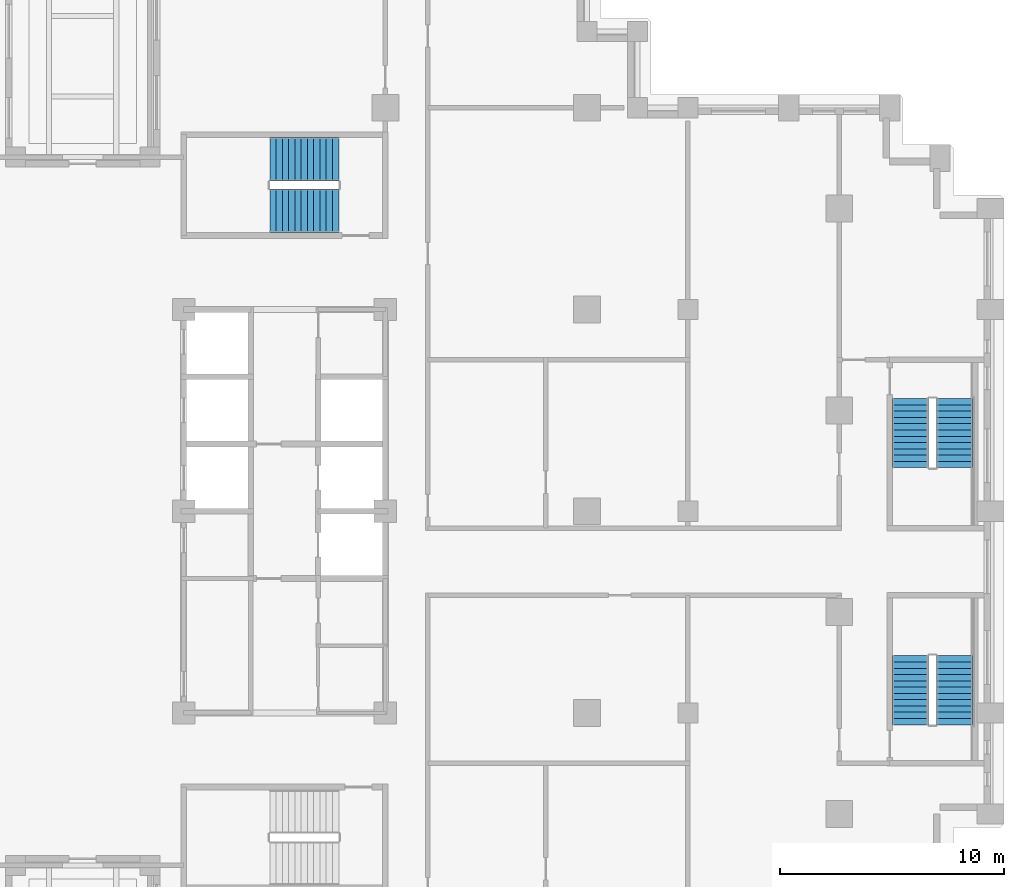
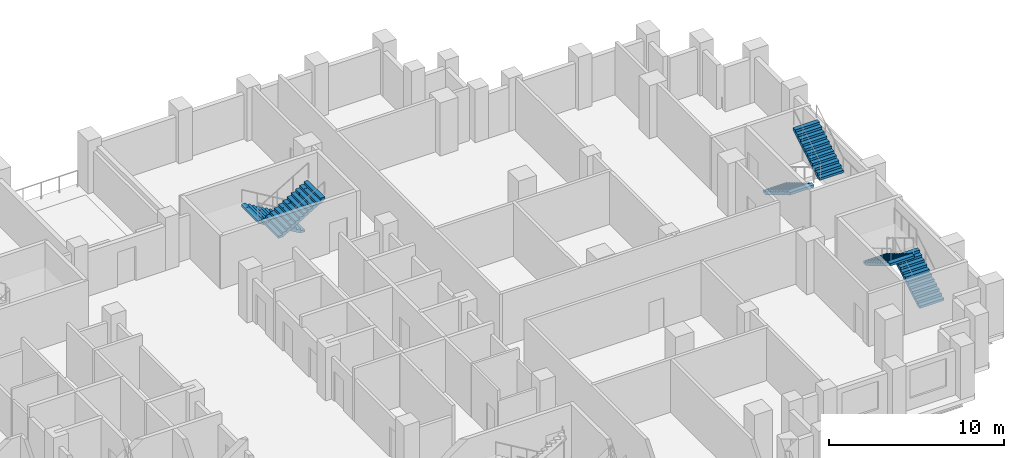
# One storey, part 11 of 13: 6 stair flights, 3 elements without a shape of their own.
"""IFC4 building model written with IfcOpenShell, lengths in metres."""

from ifc_helpers import new_model, si_unit, direction, frame, origin, place, context, subcontext, project, spatial, polyline, outline, extrude, material, type_object, element, aggregate, save


model = new_model("IFC4")

# Units and contexts
model_context = context("Model", 3, precision=1e-05, world=origin(), true_north=direction((0.0, 1.0)))
body_context = subcontext(model_context, "Body", "Model", "MODEL_VIEW")
ifc_project = project(units=[si_unit("LENGTHUNIT", "METRE"), si_unit("AREAUNIT", "SQUARE_METRE"), si_unit("VOLUMEUNIT", "CUBIC_METRE"), si_unit("PLANEANGLEUNIT", "RADIAN"), si_unit("MASSUNIT", "GRAM", prefix="KILO")], contexts=[model_context])

# Site, building, storey
site_placement = place(None, origin())
site = spatial("IfcSite", under=ifc_project, at=site_placement, CompositionType="ELEMENT")
building_placement = place(site_placement, origin())
building = spatial("IfcBuilding", under=site, at=building_placement, Name="Corbelhall Arena Tower", CompositionType="ELEMENT")
storey_placement = place(building_placement, frame((0.0, 0.0, 68.0)))
storey = spatial("IfcBuildingStorey", under=building, at=storey_placement, Name="L09", CompositionType="ELEMENT", Elevation=68.0)

# Stair, stair flights
ifc_material = material(Name="Concrete C40/50", Category="concrete")
stair_type = type_object("IfcStairType", Name="IN-ST-TOWER", PredefinedType="HALF_TURN_STAIR", material=ifc_material)
stair_1_placement = place(storey_placement, origin())
stair_1 = element("IfcStair", 1, at=stair_1_placement, inside=storey, type_object=stair_type, Name="L09 Exit stair ST3", PredefinedType="HALF_TURN_STAIR")
stair_flight_type = type_object("IfcStairFlightType", Name="IN-SFL-RC", PredefinedType="STRAIGHT", material=ifc_material)
stair_flight_1_placement = place(storey_placement, frame((11.425048828125, 15.699951171875, 0.0), z_axis=(0.0, 0.0, 1.0), x_axis=(-1.0, 0.0, 0.0)))
stair_flight_1 = element("IfcStairFlight", 2, at=stair_flight_1_placement, type_object=stair_flight_type, Name="ST3 flight 1", NumberOfRisers=12, NumberOfTreads=11, PredefinedType="STRAIGHT", RiserHeight=0.166666667, TreadLength=0.28, context=body_context, shape_type="SweptSolid", body=[
    extrude(outline(polyline([(0.0, 0.0), (0.0, 0.166748046875), (0.280029296875, 0.166748046875), (0.280029296875, 0.333251953125), (0.56005859375, 0.333251953125), (0.56005859375, 0.5), (0.840087890625, 0.5), (0.840087890625, 0.666748046875), (1.1201171875, 0.666748046875), (1.1201171875, 0.833251953125), (1.39990234375, 0.833251953125), (1.39990234375, 1.0), (1.679931640625, 1.0), (1.679931640625, 1.166748046875), (1.9599609375, 1.166748046875), (1.9599609375, 1.333251953125), (2.239990234375, 1.333251953125), (2.239990234375, 1.5), (2.52001953125, 1.5), (2.52001953125, 1.666748046875), (2.800048828125, 1.666748046875), (2.800048828125, 1.833251953125), (3.080078125, 1.833251953125), (3.080078125, 2.0), (3.080078125, 1.658935546875), (0.29296875, 0.0), (0.0, 0.0)])), frame((0.0, 0.97509765625, 0.0), z_axis=(0.0, -1.0, 0.0), x_axis=(1.0, 0.0, 0.0)), (0.0, 0.0, 1.0), 0.449951171875),
    extrude(outline(polyline([(0.0, 0.0), (0.0, 0.166748046875), (0.280029296875, 0.166748046875), (0.280029296875, 0.333251953125), (0.56005859375, 0.333251953125), (0.56005859375, 0.5), (0.840087890625, 0.5), (0.840087890625, 0.666748046875), (1.1201171875, 0.666748046875), (1.1201171875, 0.833251953125), (1.39990234375, 0.833251953125), (1.39990234375, 1.0), (1.679931640625, 1.0), (1.679931640625, 1.166748046875), (1.9599609375, 1.166748046875), (1.9599609375, 1.333251953125), (2.239990234375, 1.333251953125), (2.239990234375, 1.5), (2.52001953125, 1.5), (2.52001953125, 1.666748046875), (2.800048828125, 1.666748046875), (2.800048828125, 1.833251953125), (3.080078125, 1.833251953125), (3.080078125, 2.0), (3.080078125, 1.658935546875), (0.29296875, 0.0), (0.0, 0.0)])), frame((0.0, 0.52099609375, 0.0), z_axis=(0.0, -1.0, 0.0), x_axis=(1.0, 0.0, 0.0)), (0.0, 0.0, 1.0), 1.0419921875),
    extrude(outline(polyline([(0.0, 0.0), (0.0, 0.166748046875), (0.280029296875, 0.166748046875), (0.280029296875, 0.333251953125), (0.56005859375, 0.333251953125), (0.56005859375, 0.5), (0.840087890625, 0.5), (0.840087890625, 0.666748046875), (1.1201171875, 0.666748046875), (1.1201171875, 0.833251953125), (1.39990234375, 0.833251953125), (1.39990234375, 1.0), (1.679931640625, 1.0), (1.679931640625, 1.166748046875), (1.9599609375, 1.166748046875), (1.9599609375, 1.333251953125), (2.239990234375, 1.333251953125), (2.239990234375, 1.5), (2.52001953125, 1.5), (2.52001953125, 1.666748046875), (2.800048828125, 1.666748046875), (2.800048828125, 1.833251953125), (3.080078125, 1.833251953125), (3.080078125, 2.0), (3.080078125, 1.658935546875), (0.29296875, 0.0), (0.0, 0.0)])), frame((0.0, -0.52490234375, 0.0), z_axis=(0.0, -1.0, 0.0), x_axis=(1.0, 0.0, 0.0)), (0.0, 0.0, 1.0), 0.449951171875),
])
stair_flight_2_placement = place(storey_placement, frame((8.344970703125, 13.39990234375, 2.0), z_axis=(0.0, 0.0, 1.0), x_axis=(1.0, 0.0, 0.0)))
stair_flight_2 = element("IfcStairFlight", 3, at=stair_flight_2_placement, type_object=stair_flight_type, Name="ST3 flight 2", NumberOfRisers=12, NumberOfTreads=11, PredefinedType="STRAIGHT", RiserHeight=0.166666667, TreadLength=0.28, context=body_context, shape_type="SweptSolid", body=[
    extrude(outline(polyline([(0.0, 0.0), (0.0, 0.166748046875), (0.280029296875, 0.166748046875), (0.280029296875, 0.333251953125), (0.56005859375, 0.333251953125), (0.56005859375, 0.5), (0.840087890625, 0.5), (0.840087890625, 0.666748046875), (1.1201171875, 0.666748046875), (1.1201171875, 0.833251953125), (1.39990234375, 0.833251953125), (1.39990234375, 1.0), (1.679931640625, 1.0), (1.679931640625, 1.166748046875), (1.9599609375, 1.166748046875), (1.9599609375, 1.333251953125), (2.239990234375, 1.333251953125), (2.239990234375, 1.5), (2.52001953125, 1.5), (2.52001953125, 1.666748046875), (2.800048828125, 1.666748046875), (2.800048828125, 1.833251953125), (3.080078125, 1.833251953125), (3.080078125, 2.0), (3.080078125, 1.658935546875), (0.29296875, 0.0), (0.0, 0.0)])), frame((0.0, 0.97509765625, 0.0), z_axis=(0.0, -1.0, 0.0), x_axis=(1.0, 0.0, 0.0)), (0.0, 0.0, 1.0), 0.449951171875),
    extrude(outline(polyline([(0.0, 0.0), (0.0, 0.166748046875), (0.280029296875, 0.166748046875), (0.280029296875, 0.333251953125), (0.56005859375, 0.333251953125), (0.56005859375, 0.5), (0.840087890625, 0.5), (0.840087890625, 0.666748046875), (1.1201171875, 0.666748046875), (1.1201171875, 0.833251953125), (1.39990234375, 0.833251953125), (1.39990234375, 1.0), (1.679931640625, 1.0), (1.679931640625, 1.166748046875), (1.9599609375, 1.166748046875), (1.9599609375, 1.333251953125), (2.239990234375, 1.333251953125), (2.239990234375, 1.5), (2.52001953125, 1.5), (2.52001953125, 1.666748046875), (2.800048828125, 1.666748046875), (2.800048828125, 1.833251953125), (3.080078125, 1.833251953125), (3.080078125, 2.0), (3.080078125, 1.658935546875), (0.29296875, 0.0), (0.0, 0.0)])), frame((0.0, 0.52099609375, 0.0), z_axis=(0.0, -1.0, 0.0), x_axis=(1.0, 0.0, 0.0)), (0.0, 0.0, 1.0), 1.0419921875),
    extrude(outline(polyline([(0.0, 0.0), (0.0, 0.166748046875), (0.280029296875, 0.166748046875), (0.280029296875, 0.333251953125), (0.56005859375, 0.333251953125), (0.56005859375, 0.5), (0.840087890625, 0.5), (0.840087890625, 0.666748046875), (1.1201171875, 0.666748046875), (1.1201171875, 0.833251953125), (1.39990234375, 0.833251953125), (1.39990234375, 1.0), (1.679931640625, 1.0), (1.679931640625, 1.166748046875), (1.9599609375, 1.166748046875), (1.9599609375, 1.333251953125), (2.239990234375, 1.333251953125), (2.239990234375, 1.5), (2.52001953125, 1.5), (2.52001953125, 1.666748046875), (2.800048828125, 1.666748046875), (2.800048828125, 1.833251953125), (3.080078125, 1.833251953125), (3.080078125, 2.0), (3.080078125, 1.658935546875), (0.29296875, 0.0), (0.0, 0.0)])), frame((0.0, -0.52490234375, 0.0), z_axis=(0.0, -1.0, 0.0), x_axis=(1.0, 0.0, 0.0)), (0.0, 0.0, 1.0), 0.449951171875),
])
aggregate(stair_1, [stair_flight_1, stair_flight_2])

stair_2_placement = place(storey_placement, origin())
stair_2 = element("IfcStair", 4, at=stair_2_placement, inside=storey, type_object=stair_type, Name="L09 Exit stair SD1", PredefinedType="HALF_TURN_STAIR")
stair_flight_3_placement = place(storey_placement, frame((38.89990234375, -9.52490234375, 0.0), z_axis=(0.0, 0.0, 1.0), x_axis=(0.0, 1.0, 0.0)))
stair_flight_3 = element("IfcStairFlight", 5, at=stair_flight_3_placement, type_object=stair_flight_type, Name="SD1 flight 1", NumberOfRisers=12, NumberOfTreads=11, PredefinedType="STRAIGHT", RiserHeight=0.166666667, TreadLength=0.28, context=body_context, shape_type="SweptSolid", body=[
    extrude(outline(polyline([(0.0, 0.0), (0.0, 0.166748046875), (0.280029296875, 0.166748046875), (0.280029296875, 0.333251953125), (0.56005859375, 0.333251953125), (0.56005859375, 0.5), (0.840087890625, 0.5), (0.840087890625, 0.666748046875), (1.1201171875, 0.666748046875), (1.1201171875, 0.833251953125), (1.39990234375, 0.833251953125), (1.39990234375, 1.0), (1.679931640625, 1.0), (1.679931640625, 1.166748046875), (1.9599609375, 1.166748046875), (1.9599609375, 1.333251953125), (2.239990234375, 1.333251953125), (2.239990234375, 1.5), (2.52001953125, 1.5), (2.52001953125, 1.666748046875), (2.800048828125, 1.666748046875), (2.800048828125, 1.833251953125), (3.080078125, 1.833251953125), (3.080078125, 2.0), (3.080078125, 1.658935546875), (0.29296875, 0.0), (0.0, 0.0)])), frame((0.0, 0.800048828125, 0.0), z_axis=(0.0, -1.0, 0.0), x_axis=(1.0, 0.0, 0.0)), (0.0, 0.0, 1.0), 1.60009765625),
])
stair_flight_4_placement = place(storey_placement, frame((36.925048828125, -6.445068359375, 2.0), z_axis=(0.0, 0.0, 1.0), x_axis=(0.0, -1.0, 0.0)))
stair_flight_4 = element("IfcStairFlight", 6, at=stair_flight_4_placement, type_object=stair_flight_type, Name="SD1 flight 2", NumberOfRisers=12, NumberOfTreads=11, PredefinedType="STRAIGHT", RiserHeight=0.166666667, TreadLength=0.28, context=body_context, shape_type="SweptSolid", body=[
    extrude(outline(polyline([(0.0, 0.0), (0.0, 0.166748046875), (0.280029296875, 0.166748046875), (0.280029296875, 0.333251953125), (0.56005859375, 0.333251953125), (0.56005859375, 0.5), (0.840087890625, 0.5), (0.840087890625, 0.666748046875), (1.1201171875, 0.666748046875), (1.1201171875, 0.833251953125), (1.39990234375, 0.833251953125), (1.39990234375, 1.0), (1.679931640625, 1.0), (1.679931640625, 1.166748046875), (1.9599609375, 1.166748046875), (1.9599609375, 1.333251953125), (2.239990234375, 1.333251953125), (2.239990234375, 1.5), (2.52001953125, 1.5), (2.52001953125, 1.666748046875), (2.800048828125, 1.666748046875), (2.800048828125, 1.833251953125), (3.080078125, 1.833251953125), (3.080078125, 2.0), (3.080078125, 1.658935546875), (0.29296875, 0.0), (0.0, 0.0)])), frame((0.0, 0.800048828125, 0.0), z_axis=(0.0, -1.0, 0.0), x_axis=(1.0, 0.0, 0.0)), (0.0, 0.0, 1.0), 1.60009765625),
])
aggregate(stair_2, [stair_flight_3, stair_flight_4])

stair_3_placement = place(storey_placement, origin())
stair_3 = element("IfcStair", 7, at=stair_3_placement, inside=storey, type_object=stair_type, Name="L09 Exit stair SD2", PredefinedType="HALF_TURN_STAIR")
stair_flight_5_placement = place(storey_placement, frame((36.925048828125, 5.02490234375, 0.0), z_axis=(0.0, 0.0, 1.0), x_axis=(0.0, -1.0, 0.0)))
stair_flight_5 = element("IfcStairFlight", 8, at=stair_flight_5_placement, type_object=stair_flight_type, Name="SD2 flight 1", NumberOfRisers=12, NumberOfTreads=11, PredefinedType="STRAIGHT", RiserHeight=0.166666667, TreadLength=0.28, context=body_context, shape_type="SweptSolid", body=[
    extrude(outline(polyline([(0.0, 0.0), (0.0, 0.166748046875), (0.280029296875, 0.166748046875), (0.280029296875, 0.333251953125), (0.56005859375, 0.333251953125), (0.56005859375, 0.5), (0.840087890625, 0.5), (0.840087890625, 0.666748046875), (1.1201171875, 0.666748046875), (1.1201171875, 0.833251953125), (1.39990234375, 0.833251953125), (1.39990234375, 1.0), (1.679931640625, 1.0), (1.679931640625, 1.166748046875), (1.9599609375, 1.166748046875), (1.9599609375, 1.333251953125), (2.239990234375, 1.333251953125), (2.239990234375, 1.5), (2.52001953125, 1.5), (2.52001953125, 1.666748046875), (2.800048828125, 1.666748046875), (2.800048828125, 1.833251953125), (3.080078125, 1.833251953125), (3.080078125, 2.0), (3.080078125, 1.658935546875), (0.29296875, 0.0), (0.0, 0.0)])), frame((0.0, 0.800048828125, 0.0), z_axis=(0.0, -1.0, 0.0), x_axis=(1.0, 0.0, 0.0)), (0.0, 0.0, 1.0), 1.60009765625),
])
stair_flight_6_placement = place(storey_placement, frame((38.89990234375, 1.945068359375, 2.0), z_axis=(0.0, 0.0, 1.0), x_axis=(0.0, 1.0, 0.0)))
stair_flight_6 = element("IfcStairFlight", 9, at=stair_flight_6_placement, type_object=stair_flight_type, Name="SD2 flight 2", NumberOfRisers=12, NumberOfTreads=11, PredefinedType="STRAIGHT", RiserHeight=0.166666667, TreadLength=0.28, context=body_context, shape_type="SweptSolid", body=[
    extrude(outline(polyline([(0.0, 0.0), (0.0, 0.166748046875), (0.280029296875, 0.166748046875), (0.280029296875, 0.333251953125), (0.56005859375, 0.333251953125), (0.56005859375, 0.5), (0.840087890625, 0.5), (0.840087890625, 0.666748046875), (1.1201171875, 0.666748046875), (1.1201171875, 0.833251953125), (1.39990234375, 0.833251953125), (1.39990234375, 1.0), (1.679931640625, 1.0), (1.679931640625, 1.166748046875), (1.9599609375, 1.166748046875), (1.9599609375, 1.333251953125), (2.239990234375, 1.333251953125), (2.239990234375, 1.5), (2.52001953125, 1.5), (2.52001953125, 1.666748046875), (2.800048828125, 1.666748046875), (2.800048828125, 1.833251953125), (3.080078125, 1.833251953125), (3.080078125, 2.0), (3.080078125, 1.658935546875), (0.29296875, 0.0), (0.0, 0.0)])), frame((0.0, 0.800048828125, 0.0), z_axis=(0.0, -1.0, 0.0), x_axis=(1.0, 0.0, 0.0)), (0.0, 0.0, 1.0), 1.60009765625),
])
aggregate(stair_3, [stair_flight_5, stair_flight_6])

save(model, "model.ifc")
